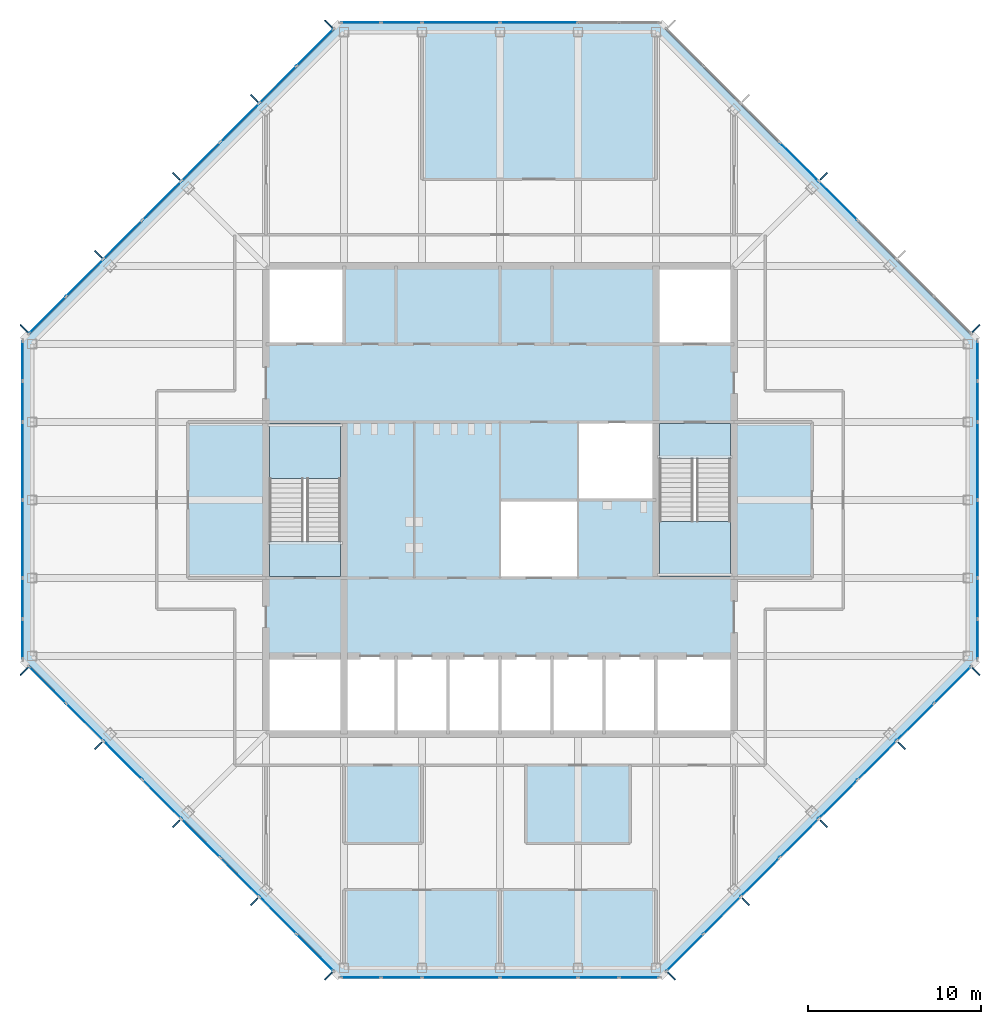
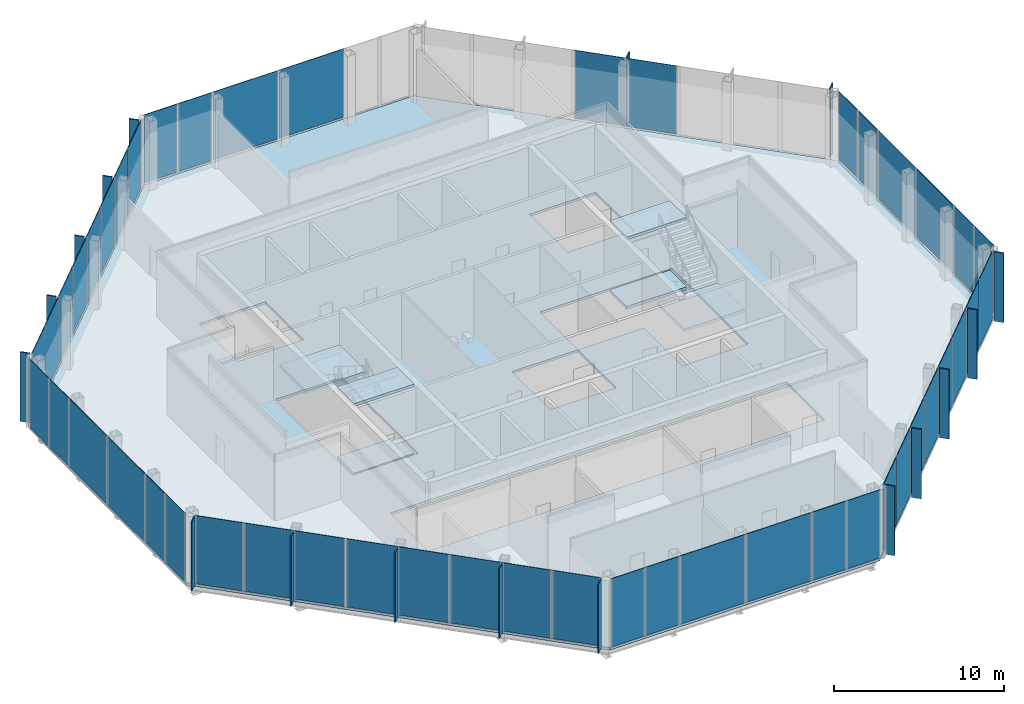
# One storey, part 6 of 11: 65 plates, 7 slabs, 10 elements without a shape of their own.
"""IFC4 building model written with IfcOpenShell, lengths in metres."""

from ifc_helpers import new_model, si_unit, direction, frame, origin, origin_2d, place, context, subcontext, project, spatial, polyline, rectangle, outline, extrude, material, layer, layer_set, type_object, element, aggregate, save


model = new_model("IFC4")

# Units and contexts
model_context = context("Model", 3, precision=1e-05, world=origin(), true_north=direction((0.0, 1.0)))
body_context = subcontext(model_context, "Body", "Model", "MODEL_VIEW")
ifc_project = project(units=[si_unit("LENGTHUNIT", "METRE"), si_unit("AREAUNIT", "SQUARE_METRE"), si_unit("VOLUMEUNIT", "CUBIC_METRE"), si_unit("PLANEANGLEUNIT", "RADIAN"), si_unit("MASSUNIT", "GRAM", prefix="KILO")], contexts=[model_context])

# Site, building, storey
site_placement = place(None, origin())
site = spatial("IfcSite", under=ifc_project, at=site_placement, CompositionType="ELEMENT")
building_placement = place(site_placement, origin())
building = spatial("IfcBuilding", under=site, at=building_placement, Name="Corais Broadcast Tower", CompositionType="ELEMENT")
storey_placement = place(building_placement, frame((0.0, 0.0, 315.10009765625)))
storey = spatial("IfcBuildingStorey", under=building, at=storey_placement, Name="L74", CompositionType="ELEMENT", Elevation=315.10009765625)

# Slab
ifc_material_1 = material(Name="Concrete C30/37", Category="concrete")
ifc_layer_1 = layer(ifc_material_1, 0.179931640625)
ifc_layer_set_1 = layer_set([ifc_layer_1], Name="Concrete C30/37")
slab_type_1 = type_object("IfcSlabType", Name="Composite floor slab 180", PredefinedType="FLOOR", material=ifc_layer_set_1)
slab_1_placement = place(storey_placement, frame((0.0, 0.0, -0.18017578125)))
element("IfcSlab", 1, at=slab_1_placement, inside=storey, type_object=slab_type_1, Name="S180 floor slab L74", PredefinedType="FLOOR", context=body_context, shape_type="SweptSolid", body=[
    extrude(outline(polyline([(17.80126953125, -0.47998046875), (-0.47998046875, 17.80126953125), (-0.47998046875, 36.19873046875), (17.80126953125, 54.47998046875), (36.19873046875, 54.47998046875), (54.47998046875, 36.19873046875), (54.47998046875, 17.80126953125), (36.19873046875, -0.47998046875), (17.80126953125, -0.47998046875)]), holes=[polyline([(13.5, 18.0), (40.5, 18.0), (40.5, 13.5), (13.5, 13.5), (13.5, 18.0)]), polyline([(18.0, 22.5), (13.5, 22.5), (13.5, 31.5), (18.0, 31.5), (18.0, 22.5)]), polyline([(18.0, 36.0), (13.5, 36.0), (13.5, 40.5), (18.0, 40.5), (18.0, 36.0)]), polyline([(31.5, 22.5), (27.0, 22.5), (27.0, 27.0), (31.4951171875, 27.0), (31.4951171875, 27.0048828125), (31.5, 27.0048828125), (31.5, 31.5), (40.5, 31.5), (40.5, 22.5), (36.0, 22.5), (36.0, 27.0), (31.5048828125, 27.0), (31.5048828125, 26.9951171875), (31.5, 26.9951171875), (31.5, 22.5)]), polyline([(40.5, 36.0), (36.0, 36.0), (36.0, 40.5), (40.5, 40.5), (40.5, 36.0)])]), origin(), (0.0, 0.0, 1.0), 0.18017578125),
])

# Curtain wall, plates
ifc_material_2 = material(Name="Aluminium and glass", Category="aluminium")
curtain_wall_type = type_object("IfcCurtainWallType", Name="Event hall curtain wall CW6", PredefinedType="NOTDEFINED", material=ifc_material_2)
curtain_wall_1_placement = place(storey_placement, origin())
curtain_wall_1 = element("IfcCurtainWall", 2, at=curtain_wall_1_placement, inside=storey, type_object=curtain_wall_type, Name="CW6 curtain wall L74 1", PredefinedType="NOTDEFINED")
ifc_material_3 = material(Name="Ceramic-fritted laminated glass", Category="glass")
ifc_layer_2 = layer(ifc_material_3, 0.033935546875)
ifc_layer_set_2 = layer_set([ifc_layer_2], Name="Ceramic-fritted laminated glass")
plate_type_1 = type_object("IfcPlateType", Name="Fritted glass panel CW6", PredefinedType="CURTAIN_PANEL", material=ifc_layer_set_2)
plate_1_placement = place(storey_placement, frame((16.32763671875, 0.89453125, 0.079833984375), z_axis=(0.0, 0.0, 1.0), x_axis=(-0.707106781187, 0.707106781187, 0.0)))
plate_1 = element("IfcPlate", 3, at=plate_1_placement, type_object=plate_type_1, Name="CW6 panel 1", PredefinedType="CURTAIN_PANEL", context=body_context, shape_type="SweptSolid", body=[
    extrude(rectangle(XDim=2.92578125, YDim=0.033935546875, at=origin_2d()), origin(), (0.0, 0.0, 1.0), 4.919921875),
])
plate_2_placement = place(storey_placement, frame((11.986083984375, 5.236083984375, 0.079833984375), z_axis=(0.0, 0.0, 1.0), x_axis=(-0.707106781187, 0.707106781187, 0.0)))
plate_2 = element("IfcPlate", 4, at=plate_2_placement, type_object=plate_type_1, Name="CW6 panel 3", PredefinedType="CURTAIN_PANEL", context=body_context, shape_type="SweptSolid", body=[
    extrude(rectangle(XDim=3.10205078125, YDim=0.033935546875, at=origin_2d()), origin(), (0.0, 0.0, 1.0), 4.919921875),
])
plate_3_placement = place(storey_placement, frame((7.486083984375, 9.736083984375, 0.079833984375), z_axis=(0.0, 0.0, 1.0), x_axis=(-0.707106781187, 0.707106781187, 0.0)))
plate_3 = element("IfcPlate", 5, at=plate_3_placement, type_object=plate_type_1, Name="CW6 panel 5", PredefinedType="CURTAIN_PANEL", context=body_context, shape_type="SweptSolid", body=[
    extrude(rectangle(XDim=3.10205078125, YDim=0.033935546875, at=origin_2d()), origin(), (0.0, 0.0, 1.0), 4.919921875),
])
plate_4_placement = place(storey_placement, frame((3.0341796875, 14.18798828125, 0.079833984375), z_axis=(0.0, 0.0, 1.0), x_axis=(-0.707106781187, 0.707106781187, 0.0)))
plate_4 = element("IfcPlate", 6, at=plate_4_placement, type_object=plate_type_1, Name="CW6 panel 7", PredefinedType="CURTAIN_PANEL", context=body_context, shape_type="SweptSolid", body=[
    extrude(rectangle(XDim=2.9658203125, YDim=0.033935546875, at=origin_2d()), origin(), (0.0, 0.0, 1.0), 4.919921875),
])

curtain_wall_2_placement = place(storey_placement, origin())
curtain_wall_2 = element("IfcCurtainWall", 7, at=curtain_wall_2_placement, inside=storey, type_object=curtain_wall_type, Name="CW6 curtain wall L74 2", PredefinedType="NOTDEFINED")
plate_5_placement = place(storey_placement, frame((-0.550048828125, 18.97412109375, 0.079833984375), z_axis=(0.0, 0.0, 1.0), x_axis=(0.0, 1.0, 0.0)))
plate_5 = element("IfcPlate", 8, at=plate_5_placement, type_object=plate_type_1, Name="CW6 panel 1", PredefinedType="CURTAIN_PANEL", context=body_context, shape_type="SweptSolid", body=[
    extrude(rectangle(XDim=2.243896484375, YDim=0.033935546875, at=origin_2d()), origin(), (0.0, 0.0, 1.0), 4.919921875),
])
plate_6_placement = place(storey_placement, frame((-0.550048828125, 24.75, 0.079833984375), z_axis=(0.0, 0.0, 1.0), x_axis=(0.0, 1.0, 0.0)))
plate_6 = element("IfcPlate", 9, at=plate_6_placement, type_object=plate_type_1, Name="CW6 panel 3", PredefinedType="CURTAIN_PANEL", context=body_context, shape_type="SweptSolid", body=[
    extrude(rectangle(XDim=4.419921875, YDim=0.033935546875, at=origin_2d()), origin(), (0.0, 0.0, 1.0), 4.919921875),
])
plate_7_placement = place(storey_placement, frame((-0.550048828125, 32.681884765625, 0.079833984375), z_axis=(0.0, 0.0, 1.0), x_axis=(0.0, 1.0, 0.0)))
plate_7 = element("IfcPlate", 10, at=plate_7_placement, type_object=plate_type_1, Name="CW6 panel 5", PredefinedType="CURTAIN_PANEL", context=body_context, shape_type="SweptSolid", body=[
    extrude(rectangle(XDim=2.283935546875, YDim=0.033935546875, at=origin_2d()), origin(), (0.0, 0.0, 1.0), 4.919921875),
])

curtain_wall_3_placement = place(storey_placement, origin())
curtain_wall_3 = element("IfcCurtainWall", 11, at=curtain_wall_3_placement, inside=storey, type_object=curtain_wall_type, Name="CW6 curtain wall L74 3", PredefinedType="NOTDEFINED")
plate_8_placement = place(storey_placement, frame((0.89453125, 37.67236328125, 0.079833984375), z_axis=(0.0, 0.0, 1.0), x_axis=(0.707106781187, 0.707106781187, 0.0)))
plate_8 = element("IfcPlate", 12, at=plate_8_placement, type_object=plate_type_1, Name="CW6 panel 1", PredefinedType="CURTAIN_PANEL", context=body_context, shape_type="SweptSolid", body=[
    extrude(rectangle(XDim=2.92578125, YDim=0.033935546875, at=origin_2d()), origin(), (0.0, 0.0, 1.0), 4.919921875),
])
plate_9_placement = place(storey_placement, frame((5.236083984375, 42.013916015625, 0.079833984375), z_axis=(0.0, 0.0, 1.0), x_axis=(0.707106781187, 0.707106781187, 0.0)))
plate_9 = element("IfcPlate", 13, at=plate_9_placement, type_object=plate_type_1, Name="CW6 panel 3", PredefinedType="CURTAIN_PANEL", context=body_context, shape_type="SweptSolid", body=[
    extrude(rectangle(XDim=3.10205078125, YDim=0.033935546875, at=origin_2d()), origin(), (0.0, 0.0, 1.0), 4.919921875),
])
plate_10_placement = place(storey_placement, frame((9.736083984375, 46.513916015625, 0.079833984375), z_axis=(0.0, 0.0, 1.0), x_axis=(0.707106781187, 0.707106781187, 0.0)))
plate_10 = element("IfcPlate", 14, at=plate_10_placement, type_object=plate_type_1, Name="CW6 panel 5", PredefinedType="CURTAIN_PANEL", context=body_context, shape_type="SweptSolid", body=[
    extrude(rectangle(XDim=3.10205078125, YDim=0.033935546875, at=origin_2d()), origin(), (0.0, 0.0, 1.0), 4.919921875),
])
plate_11_placement = place(storey_placement, frame((14.18798828125, 50.9658203125, 0.079833984375), z_axis=(0.0, 0.0, 1.0), x_axis=(0.707106781187, 0.707106781187, 0.0)))
plate_11 = element("IfcPlate", 15, at=plate_11_placement, type_object=plate_type_1, Name="CW6 panel 7", PredefinedType="CURTAIN_PANEL", context=body_context, shape_type="SweptSolid", body=[
    extrude(rectangle(XDim=2.9658203125, YDim=0.033935546875, at=origin_2d()), origin(), (0.0, 0.0, 1.0), 4.919921875),
])

curtain_wall_4_placement = place(storey_placement, origin())
curtain_wall_4 = element("IfcCurtainWall", 16, at=curtain_wall_4_placement, inside=storey, type_object=curtain_wall_type, Name="CW6 curtain wall L74 4", PredefinedType="NOTDEFINED")
plate_12_placement = place(storey_placement, frame((18.97412109375, 54.550048828125, 0.079833984375), z_axis=(0.0, 0.0, 1.0), x_axis=(1.0, 0.0, 0.0)))
plate_12 = element("IfcPlate", 17, at=plate_12_placement, type_object=plate_type_1, Name="CW6 panel 1", PredefinedType="CURTAIN_PANEL", context=body_context, shape_type="SweptSolid", body=[
    extrude(rectangle(XDim=2.243896484375, YDim=0.033935546875, at=origin_2d()), origin(), (0.0, 0.0, 1.0), 4.919921875),
])
plate_13_placement = place(storey_placement, frame((24.75, 54.550048828125, 0.079833984375), z_axis=(0.0, 0.0, 1.0), x_axis=(1.0, 0.0, 0.0)))
plate_13 = element("IfcPlate", 18, at=plate_13_placement, type_object=plate_type_1, Name="CW6 panel 3", PredefinedType="CURTAIN_PANEL", context=body_context, shape_type="SweptSolid", body=[
    extrude(rectangle(XDim=4.419921875, YDim=0.033935546875, at=origin_2d()), origin(), (0.0, 0.0, 1.0), 4.919921875),
])

# Curtain wall, plate
curtain_wall_5_placement = place(storey_placement, origin())
curtain_wall_5 = element("IfcCurtainWall", 19, at=curtain_wall_5_placement, inside=storey, type_object=curtain_wall_type, Name="CW6 curtain wall L74 5", PredefinedType="NOTDEFINED")
plate_14_placement = place(storey_placement, frame((46.513916015625, 44.263916015625, 0.079833984375), z_axis=(0.0, 0.0, 1.0), x_axis=(0.707106781187, -0.707106781187, 0.0)))
plate_14 = element("IfcPlate", 20, at=plate_14_placement, type_object=plate_type_1, Name="CW6 panel 5", PredefinedType="CURTAIN_PANEL", context=body_context, shape_type="SweptSolid", body=[
    extrude(rectangle(XDim=3.10205078125, YDim=0.033935546875, at=origin_2d()), origin(), (0.0, 0.0, 1.0), 4.919921875),
])

# Curtain wall, plates
curtain_wall_6_placement = place(storey_placement, origin())
curtain_wall_6 = element("IfcCurtainWall", 21, at=curtain_wall_6_placement, inside=storey, type_object=curtain_wall_type, Name="CW6 curtain wall L74 6", PredefinedType="NOTDEFINED")
plate_15_placement = place(storey_placement, frame((54.550048828125, 35.02587890625, 0.079833984375), z_axis=(0.0, 0.0, 1.0), x_axis=(0.0, -1.0, 0.0)))
plate_15 = element("IfcPlate", 22, at=plate_15_placement, type_object=plate_type_1, Name="CW6 panel 1", PredefinedType="CURTAIN_PANEL", context=body_context, shape_type="SweptSolid", body=[
    extrude(rectangle(XDim=2.243896484375, YDim=0.033935546875, at=origin_2d()), origin(), (0.0, 0.0, 1.0), 4.919921875),
])
plate_16_placement = place(storey_placement, frame((54.550048828125, 29.25, 0.079833984375), z_axis=(0.0, 0.0, 1.0), x_axis=(0.0, -1.0, 0.0)))
plate_16 = element("IfcPlate", 23, at=plate_16_placement, type_object=plate_type_1, Name="CW6 panel 3", PredefinedType="CURTAIN_PANEL", context=body_context, shape_type="SweptSolid", body=[
    extrude(rectangle(XDim=4.419921875, YDim=0.033935546875, at=origin_2d()), origin(), (0.0, 0.0, 1.0), 4.919921875),
])
plate_17_placement = place(storey_placement, frame((54.550048828125, 21.318115234375, 0.079833984375), z_axis=(0.0, 0.0, 1.0), x_axis=(0.0, -1.0, 0.0)))
plate_17 = element("IfcPlate", 24, at=plate_17_placement, type_object=plate_type_1, Name="CW6 panel 5", PredefinedType="CURTAIN_PANEL", context=body_context, shape_type="SweptSolid", body=[
    extrude(rectangle(XDim=2.283935546875, YDim=0.033935546875, at=origin_2d()), origin(), (0.0, 0.0, 1.0), 4.919921875),
])

curtain_wall_7_placement = place(storey_placement, origin())
curtain_wall_7 = element("IfcCurtainWall", 25, at=curtain_wall_7_placement, inside=storey, type_object=curtain_wall_type, Name="CW6 curtain wall L74 7", PredefinedType="NOTDEFINED")
plate_18_placement = place(storey_placement, frame((53.10546875, 16.32763671875, 0.079833984375), z_axis=(0.0, 0.0, 1.0), x_axis=(-0.707106781187, -0.707106781187, 0.0)))
plate_18 = element("IfcPlate", 26, at=plate_18_placement, type_object=plate_type_1, Name="CW6 panel 1", PredefinedType="CURTAIN_PANEL", context=body_context, shape_type="SweptSolid", body=[
    extrude(rectangle(XDim=2.92578125, YDim=0.033935546875, at=origin_2d()), origin(), (0.0, 0.0, 1.0), 4.919921875),
])
plate_19_placement = place(storey_placement, frame((48.763916015625, 11.986083984375, 0.079833984375), z_axis=(0.0, 0.0, 1.0), x_axis=(-0.707106781187, -0.707106781187, 0.0)))
plate_19 = element("IfcPlate", 27, at=plate_19_placement, type_object=plate_type_1, Name="CW6 panel 3", PredefinedType="CURTAIN_PANEL", context=body_context, shape_type="SweptSolid", body=[
    extrude(rectangle(XDim=3.10205078125, YDim=0.033935546875, at=origin_2d()), origin(), (0.0, 0.0, 1.0), 4.919921875),
])
plate_20_placement = place(storey_placement, frame((44.263916015625, 7.486083984375, 0.079833984375), z_axis=(0.0, 0.0, 1.0), x_axis=(-0.707106781187, -0.707106781187, 0.0)))
plate_20 = element("IfcPlate", 28, at=plate_20_placement, type_object=plate_type_1, Name="CW6 panel 5", PredefinedType="CURTAIN_PANEL", context=body_context, shape_type="SweptSolid", body=[
    extrude(rectangle(XDim=3.10205078125, YDim=0.033935546875, at=origin_2d()), origin(), (0.0, 0.0, 1.0), 4.919921875),
])
plate_21_placement = place(storey_placement, frame((39.81201171875, 3.0341796875, 0.079833984375), z_axis=(0.0, 0.0, 1.0), x_axis=(-0.707106781187, -0.707106781187, 0.0)))
plate_21 = element("IfcPlate", 29, at=plate_21_placement, type_object=plate_type_1, Name="CW6 panel 7", PredefinedType="CURTAIN_PANEL", context=body_context, shape_type="SweptSolid", body=[
    extrude(rectangle(XDim=2.9658203125, YDim=0.033935546875, at=origin_2d()), origin(), (0.0, 0.0, 1.0), 4.919921875),
])

curtain_wall_8_placement = place(storey_placement, origin())
curtain_wall_8 = element("IfcCurtainWall", 30, at=curtain_wall_8_placement, inside=storey, type_object=curtain_wall_type, Name="CW6 curtain wall L74 8", PredefinedType="NOTDEFINED")
plate_22_placement = place(storey_placement, frame((35.02587890625, -0.550048828125, 0.079833984375), z_axis=(0.0, 0.0, 1.0), x_axis=(-1.0, 0.0, 0.0)))
plate_22 = element("IfcPlate", 31, at=plate_22_placement, type_object=plate_type_1, Name="CW6 panel 1", PredefinedType="CURTAIN_PANEL", context=body_context, shape_type="SweptSolid", body=[
    extrude(rectangle(XDim=2.243896484375, YDim=0.033935546875, at=origin_2d()), origin(), (0.0, 0.0, 1.0), 4.919921875),
])
plate_23_placement = place(storey_placement, frame((29.25, -0.550048828125, 0.079833984375), z_axis=(0.0, 0.0, 1.0), x_axis=(-1.0, 0.0, 0.0)))
plate_23 = element("IfcPlate", 32, at=plate_23_placement, type_object=plate_type_1, Name="CW6 panel 3", PredefinedType="CURTAIN_PANEL", context=body_context, shape_type="SweptSolid", body=[
    extrude(rectangle(XDim=4.419921875, YDim=0.033935546875, at=origin_2d()), origin(), (0.0, 0.0, 1.0), 4.919921875),
])
plate_24_placement = place(storey_placement, frame((21.318115234375, -0.550048828125, 0.079833984375), z_axis=(0.0, 0.0, 1.0), x_axis=(-1.0, 0.0, 0.0)))
plate_24 = element("IfcPlate", 33, at=plate_24_placement, type_object=plate_type_1, Name="CW6 panel 5", PredefinedType="CURTAIN_PANEL", context=body_context, shape_type="SweptSolid", body=[
    extrude(rectangle(XDim=2.283935546875, YDim=0.033935546875, at=origin_2d()), origin(), (0.0, 0.0, 1.0), 4.919921875),
])

# Plate
ifc_material_4 = material(Name="Clear laminated glass", Category="glass")
ifc_layer_3 = layer(ifc_material_4, 0.0380859375)
ifc_layer_set_3 = layer_set([ifc_layer_3], Name="Clear laminated glass")
plate_type_2 = type_object("IfcPlateType", Name="Operable glass panel CW6", PredefinedType="CURTAIN_PANEL", material=ifc_layer_set_3)
plate_25_placement = place(storey_placement, frame((14.18798828125, 3.0341796875, 0.079833984375), z_axis=(0.0, 0.0, 1.0), x_axis=(-0.707106781187, 0.707106781187, 0.0)))
plate_25 = element("IfcPlate", 34, at=plate_25_placement, type_object=plate_type_2, Name="CW6 operable panel 2", PredefinedType="CURTAIN_PANEL", context=body_context, shape_type="SweptSolid", body=[
    extrude(rectangle(XDim=2.9658203125, YDim=0.0380859375, at=origin_2d()), origin(), (0.0, 0.0, 1.0), 4.919921875),
])

plate_26_placement = place(storey_placement, frame((9.736083984375, 7.486083984375, 0.079833984375), z_axis=(0.0, 0.0, 1.0), x_axis=(-0.707106781187, 0.707106781187, 0.0)))
plate_26 = element("IfcPlate", 35, at=plate_26_placement, type_object=plate_type_2, Name="CW6 operable panel 4", PredefinedType="CURTAIN_PANEL", context=body_context, shape_type="SweptSolid", body=[
    extrude(rectangle(XDim=3.10205078125, YDim=0.0380859375, at=origin_2d()), origin(), (0.0, 0.0, 1.0), 4.919921875),
])

plate_27_placement = place(storey_placement, frame((5.236083984375, 11.986083984375, 0.079833984375), z_axis=(0.0, 0.0, 1.0), x_axis=(-0.707106781187, 0.707106781187, 0.0)))
plate_27 = element("IfcPlate", 36, at=plate_27_placement, type_object=plate_type_2, Name="CW6 operable panel 6", PredefinedType="CURTAIN_PANEL", context=body_context, shape_type="SweptSolid", body=[
    extrude(rectangle(XDim=3.10205078125, YDim=0.0380859375, at=origin_2d()), origin(), (0.0, 0.0, 1.0), 4.919921875),
])

plate_28_placement = place(storey_placement, frame((0.89453125, 16.32763671875, 0.079833984375), z_axis=(0.0, 0.0, 1.0), x_axis=(-0.707106781187, 0.707106781187, 0.0)))
plate_28 = element("IfcPlate", 37, at=plate_28_placement, type_object=plate_type_2, Name="CW6 operable panel 8", PredefinedType="CURTAIN_PANEL", context=body_context, shape_type="SweptSolid", body=[
    extrude(rectangle(XDim=2.92578125, YDim=0.0380859375, at=origin_2d()), origin(), (0.0, 0.0, 1.0), 4.919921875),
])

aggregate(curtain_wall_1, [plate_1, plate_25, plate_2, plate_26, plate_3, plate_27, plate_4, plate_28])

plate_29_placement = place(storey_placement, frame((-0.550048828125, 21.318115234375, 0.079833984375), z_axis=(0.0, 0.0, 1.0), x_axis=(0.0, 1.0, 0.0)))
plate_29 = element("IfcPlate", 38, at=plate_29_placement, type_object=plate_type_2, Name="CW6 operable panel 2", PredefinedType="CURTAIN_PANEL", context=body_context, shape_type="SweptSolid", body=[
    extrude(rectangle(XDim=2.283935546875, YDim=0.0380859375, at=origin_2d()), origin(), (0.0, 0.0, 1.0), 4.919921875),
])

plate_30_placement = place(storey_placement, frame((-0.550048828125, 29.25, 0.079833984375), z_axis=(0.0, 0.0, 1.0), x_axis=(0.0, 1.0, 0.0)))
plate_30 = element("IfcPlate", 39, at=plate_30_placement, type_object=plate_type_2, Name="CW6 operable panel 4", PredefinedType="CURTAIN_PANEL", context=body_context, shape_type="SweptSolid", body=[
    extrude(rectangle(XDim=4.419921875, YDim=0.0380859375, at=origin_2d()), origin(), (0.0, 0.0, 1.0), 4.919921875),
])

plate_31_placement = place(storey_placement, frame((-0.550048828125, 35.02587890625, 0.079833984375), z_axis=(0.0, 0.0, 1.0), x_axis=(0.0, 1.0, 0.0)))
plate_31 = element("IfcPlate", 40, at=plate_31_placement, type_object=plate_type_2, Name="CW6 operable panel 6", PredefinedType="CURTAIN_PANEL", context=body_context, shape_type="SweptSolid", body=[
    extrude(rectangle(XDim=2.243896484375, YDim=0.0380859375, at=origin_2d()), origin(), (0.0, 0.0, 1.0), 4.919921875),
])

aggregate(curtain_wall_2, [plate_5, plate_29, plate_6, plate_30, plate_7, plate_31])

plate_32_placement = place(storey_placement, frame((3.0341796875, 39.81201171875, 0.079833984375), z_axis=(0.0, 0.0, 1.0), x_axis=(0.707106781187, 0.707106781187, 0.0)))
plate_32 = element("IfcPlate", 41, at=plate_32_placement, type_object=plate_type_2, Name="CW6 operable panel 2", PredefinedType="CURTAIN_PANEL", context=body_context, shape_type="SweptSolid", body=[
    extrude(rectangle(XDim=2.9658203125, YDim=0.0380859375, at=origin_2d()), origin(), (0.0, 0.0, 1.0), 4.919921875),
])

plate_33_placement = place(storey_placement, frame((7.486083984375, 44.263916015625, 0.079833984375), z_axis=(0.0, 0.0, 1.0), x_axis=(0.707106781187, 0.707106781187, 0.0)))
plate_33 = element("IfcPlate", 42, at=plate_33_placement, type_object=plate_type_2, Name="CW6 operable panel 4", PredefinedType="CURTAIN_PANEL", context=body_context, shape_type="SweptSolid", body=[
    extrude(rectangle(XDim=3.10205078125, YDim=0.0380859375, at=origin_2d()), origin(), (0.0, 0.0, 1.0), 4.919921875),
])

plate_34_placement = place(storey_placement, frame((11.986083984375, 48.763916015625, 0.079833984375), z_axis=(0.0, 0.0, 1.0), x_axis=(0.707106781187, 0.707106781187, 0.0)))
plate_34 = element("IfcPlate", 43, at=plate_34_placement, type_object=plate_type_2, Name="CW6 operable panel 6", PredefinedType="CURTAIN_PANEL", context=body_context, shape_type="SweptSolid", body=[
    extrude(rectangle(XDim=3.10205078125, YDim=0.0380859375, at=origin_2d()), origin(), (0.0, 0.0, 1.0), 4.919921875),
])

plate_35_placement = place(storey_placement, frame((16.32763671875, 53.10546875, 0.079833984375), z_axis=(0.0, 0.0, 1.0), x_axis=(0.707106781187, 0.707106781187, 0.0)))
plate_35 = element("IfcPlate", 44, at=plate_35_placement, type_object=plate_type_2, Name="CW6 operable panel 8", PredefinedType="CURTAIN_PANEL", context=body_context, shape_type="SweptSolid", body=[
    extrude(rectangle(XDim=2.92578125, YDim=0.0380859375, at=origin_2d()), origin(), (0.0, 0.0, 1.0), 4.919921875),
])

aggregate(curtain_wall_3, [plate_8, plate_32, plate_9, plate_33, plate_10, plate_34, plate_11, plate_35])

plate_36_placement = place(storey_placement, frame((21.318115234375, 54.550048828125, 0.079833984375), z_axis=(0.0, 0.0, 1.0), x_axis=(1.0, 0.0, 0.0)))
plate_36 = element("IfcPlate", 45, at=plate_36_placement, type_object=plate_type_2, Name="CW6 operable panel 2", PredefinedType="CURTAIN_PANEL", context=body_context, shape_type="SweptSolid", body=[
    extrude(rectangle(XDim=2.283935546875, YDim=0.0380859375, at=origin_2d()), origin(), (0.0, 0.0, 1.0), 4.919921875),
])

plate_37_placement = place(storey_placement, frame((29.25, 54.550048828125, 0.079833984375), z_axis=(0.0, 0.0, 1.0), x_axis=(1.0, 0.0, 0.0)))
plate_37 = element("IfcPlate", 46, at=plate_37_placement, type_object=plate_type_2, Name="CW6 operable panel 4", PredefinedType="CURTAIN_PANEL", context=body_context, shape_type="SweptSolid", body=[
    extrude(rectangle(XDim=4.419921875, YDim=0.0380859375, at=origin_2d()), origin(), (0.0, 0.0, 1.0), 4.919921875),
])

aggregate(curtain_wall_4, [plate_12, plate_36, plate_13, plate_37])

plate_38_placement = place(storey_placement, frame((44.263916015625, 46.513916015625, 0.079833984375), z_axis=(0.0, 0.0, 1.0), x_axis=(0.707106781187, -0.707106781187, 0.0)))
plate_38 = element("IfcPlate", 47, at=plate_38_placement, type_object=plate_type_2, Name="CW6 operable panel 4", PredefinedType="CURTAIN_PANEL", context=body_context, shape_type="SweptSolid", body=[
    extrude(rectangle(XDim=3.10205078125, YDim=0.0380859375, at=origin_2d()), origin(), (0.0, 0.0, 1.0), 4.919921875),
])

aggregate(curtain_wall_5, [plate_38, plate_14])

plate_39_placement = place(storey_placement, frame((54.550048828125, 32.681884765625, 0.079833984375), z_axis=(0.0, 0.0, 1.0), x_axis=(0.0, -1.0, 0.0)))
plate_39 = element("IfcPlate", 48, at=plate_39_placement, type_object=plate_type_2, Name="CW6 operable panel 2", PredefinedType="CURTAIN_PANEL", context=body_context, shape_type="SweptSolid", body=[
    extrude(rectangle(XDim=2.283935546875, YDim=0.0380859375, at=origin_2d()), origin(), (0.0, 0.0, 1.0), 4.919921875),
])

plate_40_placement = place(storey_placement, frame((54.550048828125, 24.75, 0.079833984375), z_axis=(0.0, 0.0, 1.0), x_axis=(0.0, -1.0, 0.0)))
plate_40 = element("IfcPlate", 49, at=plate_40_placement, type_object=plate_type_2, Name="CW6 operable panel 4", PredefinedType="CURTAIN_PANEL", context=body_context, shape_type="SweptSolid", body=[
    extrude(rectangle(XDim=4.419921875, YDim=0.0380859375, at=origin_2d()), origin(), (0.0, 0.0, 1.0), 4.919921875),
])

plate_41_placement = place(storey_placement, frame((54.550048828125, 18.97412109375, 0.079833984375), z_axis=(0.0, 0.0, 1.0), x_axis=(0.0, -1.0, 0.0)))
plate_41 = element("IfcPlate", 50, at=plate_41_placement, type_object=plate_type_2, Name="CW6 operable panel 6", PredefinedType="CURTAIN_PANEL", context=body_context, shape_type="SweptSolid", body=[
    extrude(rectangle(XDim=2.243896484375, YDim=0.0380859375, at=origin_2d()), origin(), (0.0, 0.0, 1.0), 4.919921875),
])

aggregate(curtain_wall_6, [plate_15, plate_39, plate_16, plate_40, plate_17, plate_41])

plate_42_placement = place(storey_placement, frame((50.9658203125, 14.18798828125, 0.079833984375), z_axis=(0.0, 0.0, 1.0), x_axis=(-0.707106781187, -0.707106781187, 0.0)))
plate_42 = element("IfcPlate", 51, at=plate_42_placement, type_object=plate_type_2, Name="CW6 operable panel 2", PredefinedType="CURTAIN_PANEL", context=body_context, shape_type="SweptSolid", body=[
    extrude(rectangle(XDim=2.9658203125, YDim=0.0380859375, at=origin_2d()), origin(), (0.0, 0.0, 1.0), 4.919921875),
])

plate_43_placement = place(storey_placement, frame((46.513916015625, 9.736083984375, 0.079833984375), z_axis=(0.0, 0.0, 1.0), x_axis=(-0.707106781187, -0.707106781187, 0.0)))
plate_43 = element("IfcPlate", 52, at=plate_43_placement, type_object=plate_type_2, Name="CW6 operable panel 4", PredefinedType="CURTAIN_PANEL", context=body_context, shape_type="SweptSolid", body=[
    extrude(rectangle(XDim=3.10205078125, YDim=0.0380859375, at=origin_2d()), origin(), (0.0, 0.0, 1.0), 4.919921875),
])

plate_44_placement = place(storey_placement, frame((42.013916015625, 5.236083984375, 0.079833984375), z_axis=(0.0, 0.0, 1.0), x_axis=(-0.707106781187, -0.707106781187, 0.0)))
plate_44 = element("IfcPlate", 53, at=plate_44_placement, type_object=plate_type_2, Name="CW6 operable panel 6", PredefinedType="CURTAIN_PANEL", context=body_context, shape_type="SweptSolid", body=[
    extrude(rectangle(XDim=3.10205078125, YDim=0.0380859375, at=origin_2d()), origin(), (0.0, 0.0, 1.0), 4.919921875),
])

plate_45_placement = place(storey_placement, frame((37.67236328125, 0.89453125, 0.079833984375), z_axis=(0.0, 0.0, 1.0), x_axis=(-0.707106781187, -0.707106781187, 0.0)))
plate_45 = element("IfcPlate", 54, at=plate_45_placement, type_object=plate_type_2, Name="CW6 operable panel 8", PredefinedType="CURTAIN_PANEL", context=body_context, shape_type="SweptSolid", body=[
    extrude(rectangle(XDim=2.92578125, YDim=0.0380859375, at=origin_2d()), origin(), (0.0, 0.0, 1.0), 4.919921875),
])

aggregate(curtain_wall_7, [plate_18, plate_42, plate_19, plate_43, plate_20, plate_44, plate_21, plate_45])

plate_46_placement = place(storey_placement, frame((32.681884765625, -0.550048828125, 0.079833984375), z_axis=(0.0, 0.0, 1.0), x_axis=(-1.0, 0.0, 0.0)))
plate_46 = element("IfcPlate", 55, at=plate_46_placement, type_object=plate_type_2, Name="CW6 operable panel 2", PredefinedType="CURTAIN_PANEL", context=body_context, shape_type="SweptSolid", body=[
    extrude(rectangle(XDim=2.283935546875, YDim=0.0380859375, at=origin_2d()), origin(), (0.0, 0.0, 1.0), 4.919921875),
])

plate_47_placement = place(storey_placement, frame((24.75, -0.550048828125, 0.079833984375), z_axis=(0.0, 0.0, 1.0), x_axis=(-1.0, 0.0, 0.0)))
plate_47 = element("IfcPlate", 56, at=plate_47_placement, type_object=plate_type_2, Name="CW6 operable panel 4", PredefinedType="CURTAIN_PANEL", context=body_context, shape_type="SweptSolid", body=[
    extrude(rectangle(XDim=4.419921875, YDim=0.0380859375, at=origin_2d()), origin(), (0.0, 0.0, 1.0), 4.919921875),
])

plate_48_placement = place(storey_placement, frame((18.97412109375, -0.550048828125, 0.079833984375), z_axis=(0.0, 0.0, 1.0), x_axis=(-1.0, 0.0, 0.0)))
plate_48 = element("IfcPlate", 57, at=plate_48_placement, type_object=plate_type_2, Name="CW6 operable panel 6", PredefinedType="CURTAIN_PANEL", context=body_context, shape_type="SweptSolid", body=[
    extrude(rectangle(XDim=2.243896484375, YDim=0.0380859375, at=origin_2d()), origin(), (0.0, 0.0, 1.0), 4.919921875),
])

aggregate(curtain_wall_8, [plate_22, plate_46, plate_23, plate_47, plate_24, plate_48])

# Stair, slabs
ifc_material_5 = material(Name="Concrete C30/37", Category="concrete")
stair_type = type_object("IfcStairType", Name="Half-turn stair 5000", PredefinedType="HALF_TURN_STAIR", material=ifc_material_5)
stair_1_placement = place(storey_placement, origin())
stair_1 = element("IfcStair", 58, at=stair_1_placement, inside=storey, type_object=stair_type, Name="Stair A L74", PredefinedType="HALF_TURN_STAIR")
ifc_material_6 = material(Name="Concrete C30/37", Category="concrete")
ifc_layer_4 = layer(ifc_material_6, 0.199951171875)
ifc_layer_set_4 = layer_set([ifc_layer_4], Name="Concrete C30/37")
slab_type_2 = type_object("IfcSlabType", Name="Stair landing 200", PredefinedType="LANDING", material=ifc_layer_set_4)
slab_2_placement = place(storey_placement, frame((0.0, 0.0, -0.2001953125)))
slab_2 = element("IfcSlab", 59, at=slab_2_placement, type_object=slab_type_2, Name="STA landing 1", PredefinedType="LANDING", context=body_context, shape_type="SweptSolid", body=[
    extrude(outline(polyline([(13.699951171875, 22.60009765625), (17.800048828125, 22.60009765625), (17.800048828125, 24.60009765625), (13.699951171875, 24.60009765625), (13.699951171875, 22.60009765625)])), origin(), (0.0, 0.0, 1.0), 0.2001953125),
])
slab_3_placement = place(storey_placement, frame((0.0, 0.0, 2.2998046875)))
slab_3 = element("IfcSlab", 60, at=slab_3_placement, type_object=slab_type_2, Name="STA landing 2", PredefinedType="LANDING", context=body_context, shape_type="SweptSolid", body=[
    extrude(outline(polyline([(13.699951171875, 28.239990234375), (17.800048828125, 28.239990234375), (17.800048828125, 31.39990234375), (13.699951171875, 31.39990234375), (13.699951171875, 28.239990234375)])), origin(), (0.0, 0.0, 1.0), 0.2001953125),
])
slab_4_placement = place(storey_placement, frame((0.0, 0.0, 4.7998046875)))
slab_4 = element("IfcSlab", 61, at=slab_4_placement, type_object=slab_type_2, Name="STA landing 3", PredefinedType="LANDING", context=body_context, shape_type="SweptSolid", body=[
    extrude(outline(polyline([(13.699951171875, 22.60009765625), (17.800048828125, 22.60009765625), (17.800048828125, 24.60009765625), (13.699951171875, 24.60009765625), (13.699951171875, 22.60009765625)])), origin(), (0.0, 0.0, 1.0), 0.2001953125),
])
aggregate(stair_1, [slab_2, slab_3, slab_4])

stair_2_placement = place(storey_placement, origin())
stair_2 = element("IfcStair", 62, at=stair_2_placement, inside=storey, type_object=stair_type, Name="Stair B L74", PredefinedType="HALF_TURN_STAIR")
slab_5_placement = place(storey_placement, frame((0.0, 0.0, -0.2001953125)))
slab_5 = element("IfcSlab", 63, at=slab_5_placement, type_object=slab_type_2, Name="STB landing 1", PredefinedType="LANDING", context=body_context, shape_type="SweptSolid", body=[
    extrude(outline(polyline([(36.199951171875, 29.39990234375), (40.300048828125, 29.39990234375), (40.300048828125, 31.39990234375), (36.199951171875, 31.39990234375), (36.199951171875, 29.39990234375)])), origin(), (0.0, 0.0, 1.0), 0.2001953125),
])
slab_6_placement = place(storey_placement, frame((0.0, 0.0, 2.2998046875)))
slab_6 = element("IfcSlab", 64, at=slab_6_placement, type_object=slab_type_2, Name="STB landing 2", PredefinedType="LANDING", context=body_context, shape_type="SweptSolid", body=[
    extrude(outline(polyline([(36.199951171875, 22.60009765625), (40.300048828125, 22.60009765625), (40.300048828125, 25.760009765625), (36.199951171875, 25.760009765625), (36.199951171875, 22.60009765625)])), origin(), (0.0, 0.0, 1.0), 0.2001953125),
])
slab_7_placement = place(storey_placement, frame((0.0, 0.0, 4.7998046875)))
slab_7 = element("IfcSlab", 65, at=slab_7_placement, type_object=slab_type_2, Name="STB landing 3", PredefinedType="LANDING", context=body_context, shape_type="SweptSolid", body=[
    extrude(outline(polyline([(36.199951171875, 29.39990234375), (40.300048828125, 29.39990234375), (40.300048828125, 31.39990234375), (36.199951171875, 31.39990234375), (36.199951171875, 29.39990234375)])), origin(), (0.0, 0.0, 1.0), 0.2001953125),
])
aggregate(stair_2, [slab_5, slab_6, slab_7])

# Plates
ifc_material_7 = material(Name="Granite stone cladding", Category="masonry")
ifc_layer_5 = layer(ifc_material_7, 0.080078125)
ifc_layer_set_5 = layer_set([ifc_layer_5], Name="Granite stone cladding")
plate_type_3 = type_object("IfcPlateType", Name="Stone screen fin 80x600", PredefinedType="USERDEFINED", material=ifc_layer_set_5)
for number, where, z_axis, x_axis, name in (
    (66, (17.1025390625, -0.455810546875, 0.0), (0.0, 0.0, 1.0), (-0.707106781187, 0.707106781187, 0.0), "SF1 stone screen fin L74"),
    (67, (12.8232421875, 3.8232421875, 0.0), (0.0, 0.0, 1.0), (-0.707106781187, 0.707106781187, 0.0), "SF1 stone screen fin L74"),
    (68, (8.3232421875, 8.3232421875, 0.0), (0.0, 0.0, 1.0), (-0.707106781187, 0.707106781187, 0.0), "SF1 stone screen fin L74"),
    (69, (3.8232421875, 12.8232421875, 0.0), (0.0, 0.0, 1.0), (-0.707106781187, 0.707106781187, 0.0), "SF1 stone screen fin L74"),
    (70, (-0.455810546875, 17.1025390625, 0.0), (0.0, 0.0, 1.0), (-0.707106781187, 0.707106781187, 0.0), "SF1 stone screen fin L74"),
    (71, (-0.455810546875, 36.8974609375, 0.0), (0.0, 0.0, 1.0), (0.707106781187, 0.707106781187, 0.0), "SF1 stone screen fin L74"),
    (72, (3.8232421875, 41.1767578125, 0.0), (0.0, 0.0, 1.0), (0.707106781187, 0.707106781187, 0.0), "SF1 stone screen fin L74"),
    (73, (8.3232421875, 45.6767578125, 0.0), (0.0, 0.0, 1.0), (0.707106781187, 0.707106781187, 0.0), "SF1 stone screen fin L74"),
    (74, (12.8232421875, 50.1767578125, 0.0), (0.0, 0.0, 1.0), (0.707106781187, 0.707106781187, 0.0), "SF1 stone screen fin L74"),
    (75, (17.1025390625, 54.455810546875, 0.0), (0.0, 0.0, 1.0), (0.707106781187, 0.707106781187, 0.0), "SF1 stone screen fin L74"),
    (76, (45.6767578125, 45.6767578125, 0.0), (0.0, 0.0, 1.0), (0.707106781187, -0.707106781187, 0.0), "SF1 stone screen fin L74"),
    (77, (54.455810546875, 36.8974609375, 0.0), (0.0, 0.0, 1.0), (0.707106781187, -0.707106781187, 0.0), "SF1 stone screen fin L74"),
    (78, (54.455810546875, 17.1025390625, 0.0), (0.0, 0.0, 1.0), (-0.707106781187, -0.707106781187, 0.0), "SF1 stone screen fin L74"),
    (79, (50.1767578125, 12.8232421875, 0.0), (0.0, 0.0, 1.0), (-0.707106781187, -0.707106781187, 0.0), "SF1 stone screen fin L74"),
    (80, (45.6767578125, 8.3232421875, 0.0), (0.0, 0.0, 1.0), (-0.707106781187, -0.707106781187, 0.0), "SF1 stone screen fin L74"),
    (81, (41.1767578125, 3.8232421875, 0.0), (0.0, 0.0, 1.0), (-0.707106781187, -0.707106781187, 0.0), "SF1 stone screen fin L74"),
    (82, (36.8974609375, -0.455810546875, 0.0), (0.0, 0.0, 1.0), (-0.707106781187, -0.707106781187, 0.0), "SF1 stone screen fin L74"),
):
    element("IfcPlate", number, at=place(storey_placement, frame(where, z_axis=z_axis, x_axis=x_axis)), inside=storey, type_object=plate_type_3, Name=name, ObjectType="STONE SCREEN FIN", PredefinedType="USERDEFINED", context=body_context, shape_type="SweptSolid", body=[
        extrude(rectangle(XDim=0.080078125, YDim=0.60009765625, at=origin_2d()), origin(), (0.0, 0.0, 1.0), 5.0),
    ])

save(model, "model.ifc")
